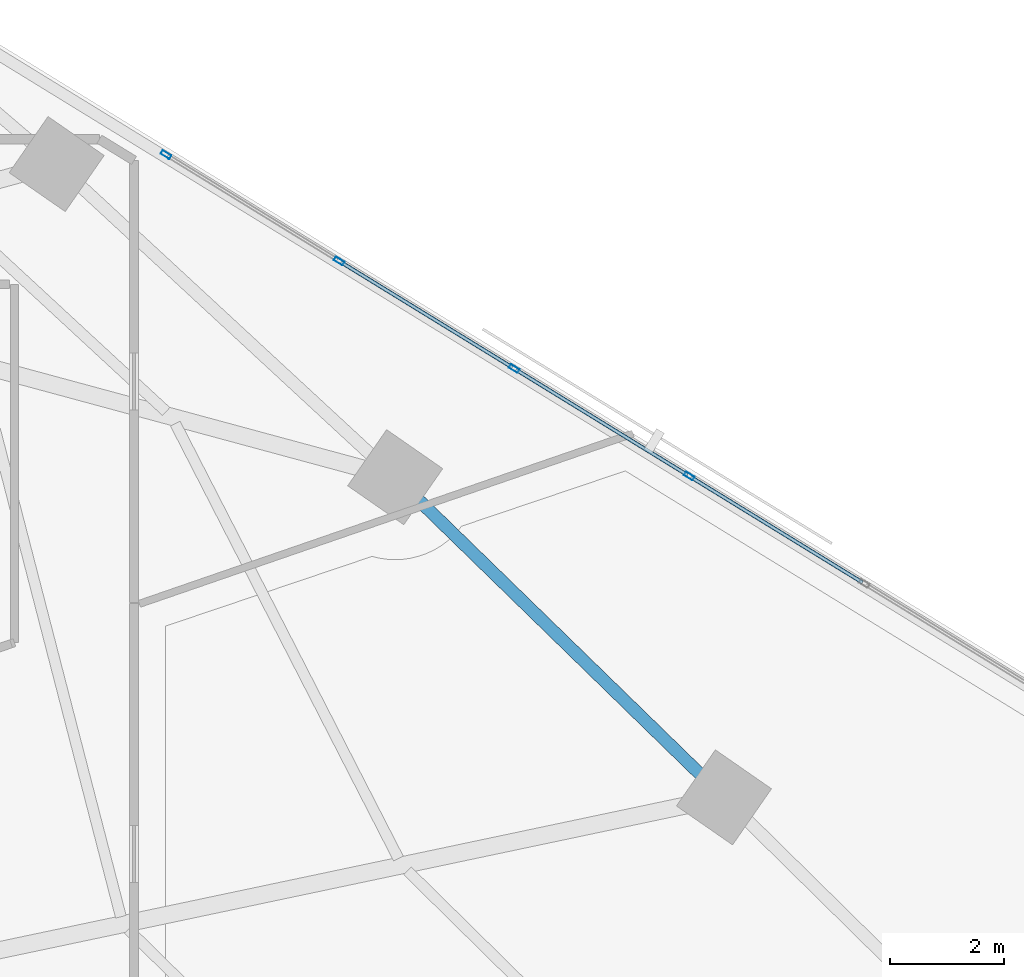
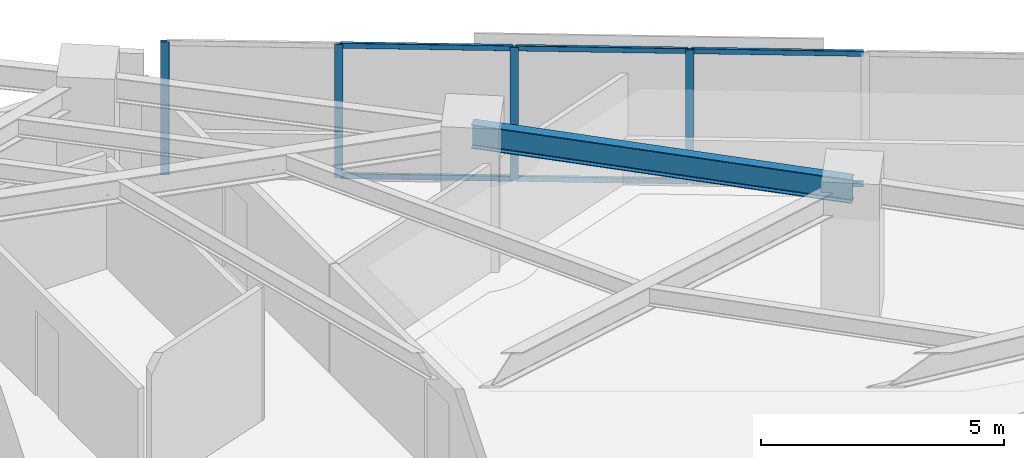
# One storey, part 6 of 18: 10 members, 1 beam, 1 element without a shape of its own.
"""IFC4 building model written with IfcOpenShell, lengths in metres."""

import ifcopenshell
import ifcopenshell.guid

model = None  # the IFC model being written
_history = None  # IfcOwnerHistory: only IFC2X3 demands one
_inside = {}  # id of a spatial element -> (the spatial element, [elements in it])
_under = {}  # id of a project, library or spatial element -> (it, [spatial elements below it])
_declared = {}  # id of a project -> (the project, [libraries it declares])
_typed = {}  # id of a type object -> (the type object, [elements of that type])
_made_of = {}  # id of a material, layer set ... -> (it, [elements and type objects made of it])


def new_model(schema):
    """Start an empty IFC model of exactly this schema.

    Asked for "IFC4X3", IfcOpenShell would pick the latest addendum, in which some entities
    have other attributes; the version numbers below select the first issue.
    IFC2X3 requires an IfcOwnerHistory on every rooted entity: one is made here for all.
    """
    global model, _history
    if schema == "IFC4X3":
        model = ifcopenshell.file(schema_version=(4, 3, 0, 0))
    else:
        model = ifcopenshell.file(schema=schema)
    _inside.clear()
    _under.clear()
    _declared.clear()
    _typed.clear()
    _made_of.clear()
    _history = None
    if model.schema == "IFC2X3":
        org = make("IfcOrganization", Name="unknown")
        user = make(
            "IfcPersonAndOrganization",
            ThePerson=make("IfcPerson", FamilyName="unknown"),
            TheOrganization=org,
        )
        app = make(
            "IfcApplication",
            ApplicationDeveloper=org,
            Version="unknown",
            ApplicationFullName="unknown",
            ApplicationIdentifier="unknown",
        )
        _history = make(
            "IfcOwnerHistory",
            OwningUser=user,
            OwningApplication=app,
            ChangeAction="ADDED",
            CreationDate=0,
        )
    return model


def make(cls, **values):
    """One entity of the class cls with the attributes given. An attribute that is None is left unset."""
    return model.create_entity(
        cls, **{name: value for name, value in values.items() if value is not None}
    )


def rooted(cls, **values):
    """An entity with a GlobalId (a new one), such as an element, a storey or a relation."""
    return make(cls, GlobalId=ifcopenshell.guid.new(), OwnerHistory=_history, **values)


def si_unit(unit_type, name, prefix=None):
    """IfcSIUnit, for example si_unit("LENGTHUNIT", "METRE", prefix="MILLI")."""
    return make("IfcSIUnit", UnitType=unit_type, Prefix=prefix, Name=name)


def assignment(units):
    """IfcUnitAssignment: the units of a project."""
    return None if units is None else make("IfcUnitAssignment", Units=units)


def point(xyz):
    """IfcCartesianPoint."""
    return None if xyz is None else make("IfcCartesianPoint", Coordinates=xyz)


def direction(xyz):
    """IfcDirection."""
    return None if xyz is None else make("IfcDirection", DirectionRatios=xyz)


def frame(location, z_axis=None, x_axis=None):
    """IfcAxis2Placement3D, a coordinate frame: its origin and axes. An axis left out is left unset."""
    return make(
        "IfcAxis2Placement3D",
        Location=point(location),
        Axis=direction(z_axis),
        RefDirection=direction(x_axis),
    )


def frame_2d(location, x_axis=None):
    """IfcAxis2Placement2D, a coordinate frame in the plane: its origin and x axis."""
    return make(
        "IfcAxis2Placement2D", Location=point(location), RefDirection=direction(x_axis)
    )


def origin():
    """The frame at (0, 0, 0) with its axes left unset."""
    return frame((0.0, 0.0, 0.0))


def origin_2d():
    """The frame at (0, 0) in the plane with its x axis left unset."""
    return frame_2d((0.0, 0.0))


def place(relative_to, where):
    """IfcLocalPlacement: puts the frame where relative to a parent placement (None: the world)."""
    return make(
        "IfcLocalPlacement", PlacementRelTo=relative_to, RelativePlacement=where
    )


def context(
    kind, dimensions, precision=None, world=None, true_north=None, identifier=None
):
    """IfcGeometricRepresentationContext, for example the 3D "Model" context."""
    return make(
        "IfcGeometricRepresentationContext",
        ContextIdentifier=identifier,
        ContextType=kind,
        CoordinateSpaceDimension=dimensions,
        Precision=precision,
        WorldCoordinateSystem=world,
        TrueNorth=true_north,
    )


def subcontext(parent, identifier, kind, view, scale=None):
    """IfcGeometricRepresentationSubContext, for example "Body" below "Model"."""
    return make(
        "IfcGeometricRepresentationSubContext",
        ContextIdentifier=identifier,
        ContextType=kind,
        ParentContext=parent,
        TargetScale=scale,
        TargetView=view,
    )


def project(units=None, contexts=None):
    """IfcProject with its units and contexts."""
    return rooted(
        "IfcProject",
        Name="project",
        RepresentationContexts=contexts,
        UnitsInContext=assignment(units),
    )


def spatial(cls, under=None, at=None, **own):
    """A site, building, storey or space (cls), placed at a placement, below another one or the project."""
    s = rooted(cls, ObjectPlacement=at, **own)
    if under is not None:
        _under.setdefault(under.id(), (under, []))[1].append(s)
    return s


def profile(cls, at=None, kind="AREA", **sizes):
    """A parametric profile (cls). Its sizes go by their IFC names, for example OverallWidth=200.0."""
    return make(cls, ProfileType=kind, Position=at, **sizes)


def hollow_rectangle(**sizes):
    """IfcRectangleHollowProfileDef."""
    return profile("IfcRectangleHollowProfileDef", **sizes)


def i_section(**sizes):
    """IfcIShapeProfileDef."""
    return profile("IfcIShapeProfileDef", **sizes)


def extrude(swept, where, along, depth):
    """IfcExtrudedAreaSolid: the profile swept, set in the frame where, extruded along a direction by depth."""
    return make(
        "IfcExtrudedAreaSolid",
        SweptArea=swept,
        Position=where,
        ExtrudedDirection=direction(along),
        Depth=depth,
    )


def shape(context_of_items, identifier, shape_type, items):
    """IfcShapeRepresentation: the items that make up one representation, for example the "Body"."""
    return make(
        "IfcShapeRepresentation",
        ContextOfItems=context_of_items,
        RepresentationIdentifier=identifier,
        RepresentationType=shape_type,
        Items=items,
    )


def material(Name=None, Category=None):
    """IfcMaterial."""
    return make("IfcMaterial", Name=Name, Category=Category)


def material_profile(
    of_material, cross_section, Name=None, Category=None, Priority=None
):
    """IfcMaterialProfile: a cross section and its material."""
    return make(
        "IfcMaterialProfile",
        Name=Name,
        Material=of_material,
        Profile=cross_section,
        Priority=Priority,
        Category=Category,
    )


def profile_set(profiles, Name=None, composite=None):
    """IfcMaterialProfileSet."""
    return make(
        "IfcMaterialProfileSet",
        Name=Name,
        MaterialProfiles=profiles,
        CompositeProfile=composite,
    )


def made_of(thing, what):
    """Note that an element or type object is made of a material, layer set ...; save() writes the relation."""
    if what is not None:
        _made_of.setdefault(what.id(), (what, []))[1].append(thing)
    return thing


def type_object(cls, material=None, **own):
    """A type object (cls), such as IfcWallType, which elements share."""
    return made_of(rooted(cls, **own), material)


def element(
    cls,
    number,
    at=None,
    inside=None,
    cuts=None,
    type_object=None,
    material=None,
    context=None,
    identifier="Body",
    shape_type=None,
    held_by="IfcProductDefinitionShape",
    body=None,
    shapes=None,
    **own,
):
    """One element of the class cls, such as IfcWall. Its Tag is "e" and its number.

    at: its placement. inside: the storey or other place that contains it. cuts: it is an
    opening in that element (IfcRelVoidsElement). A single representation is given by context,
    identifier, shape_type and body (its items); several are given by shapes. held_by: the class
    of the entity that holds the representations. save() writes the other relations.
    """
    e = rooted(cls, Tag="e%d" % number, ObjectPlacement=at, **own)
    if body is not None:
        shapes = [shape(context, identifier, shape_type, body)]
    if shapes is not None:
        e.Representation = make(held_by, Representations=shapes)
    if inside is not None:
        _inside.setdefault(inside.id(), (inside, []))[1].append(e)
    if cuts is not None:
        rooted(
            "IfcRelVoidsElement", RelatingBuildingElement=cuts, RelatedOpeningElement=e
        )
    if type_object is not None:
        _typed.setdefault(type_object.id(), (type_object, []))[1].append(e)
    return made_of(e, material)


def aggregate(whole, parts):
    """IfcRelAggregates: a whole, such as a stair, and the parts it consists of."""
    return rooted("IfcRelAggregates", RelatingObject=whole, RelatedObjects=parts)


def save(model, path):
    """Write the relations noted so far, then the file.

    IfcRelAggregates (storeys below a building ...), IfcRelContainedInSpatialStructure (elements
    in a storey), IfcRelDefinesByType, IfcRelAssociatesMaterial and IfcRelDeclares: one each for
    every whole, place, type object, material and project.
    """
    for whole, parts in _under.values():
        aggregate(whole, parts)
    for where, things in _inside.values():
        rooted(
            "IfcRelContainedInSpatialStructure",
            RelatedElements=things,
            RelatingStructure=where,
        )
    for kind, things in _typed.values():
        rooted("IfcRelDefinesByType", RelatedObjects=things, RelatingType=kind)
    for what, things in _made_of.values():
        rooted("IfcRelAssociatesMaterial", RelatedObjects=things, RelatingMaterial=what)
    for by, libraries in _declared.values():
        rooted("IfcRelDeclares", RelatingContext=by, RelatedDefinitions=libraries)
    model.write(path)


model = new_model("IFC4")

# Units and contexts
model_context = context("Model", 3, precision=1e-05, world=origin(), true_north=direction((0.0, 1.0)))
body_context = subcontext(model_context, "Body", "Model", "MODEL_VIEW")
ifc_project = project(units=[si_unit("LENGTHUNIT", "METRE"), si_unit("AREAUNIT", "SQUARE_METRE"), si_unit("VOLUMEUNIT", "CUBIC_METRE"), si_unit("PLANEANGLEUNIT", "RADIAN"), si_unit("MASSUNIT", "GRAM", prefix="KILO")], contexts=[model_context])

# Site, building, storey
site_placement = place(None, origin())
site = spatial("IfcSite", under=ifc_project, at=site_placement, CompositionType="ELEMENT")
building_placement = place(site_placement, origin())
building = spatial("IfcBuilding", under=site, at=building_placement, Name="Narakoshi Arena Tower", CompositionType="ELEMENT")
storey_placement = place(building_placement, frame((0.0, 0.0, 99.300048828125)))
storey = spatial("IfcBuildingStorey", under=building, at=storey_placement, Name="L26", CompositionType="ELEMENT", Elevation=99.300048828125)

# Beam
ifc_material_1 = material(Name="Structural steel S355J2", Category="steel")
ifc_material_profile_1 = material_profile(ifc_material_1, i_section(OverallWidth=0.219970703125, OverallDepth=0.60009765625, WebThickness=0.011962890625, FlangeThickness=0.01904296875, FilletRadius=0.02392578125, at=origin_2d()), Name="IPE600")
ifc_profile_set_1 = profile_set([ifc_material_profile_1], Name="Structural steel S355J2")
beam_type = type_object("IfcBeamType", Name="BM-EDGE-600", PredefinedType="BEAM", material=ifc_profile_set_1)
beam_placement = place(storey_placement, frame((104.42041015625, 47.33056640625, 3.0400390625), z_axis=(-0.71641187053, 0.697677598726, 0.0), x_axis=(-0.697677598726, -0.71641187053, 0.0)))
element("IfcBeam", 1, at=beam_placement, inside=storey, type_object=beam_type, Name="L26 Perimeter Edge Girder 05", PredefinedType="BEAM", context=body_context, shape_type="SweptSolid", body=[
    extrude(i_section(OverallWidth=0.219970703125, OverallDepth=0.60009765625, WebThickness=0.011962890625, FlangeThickness=0.01904296875, FilletRadius=0.02392578125, at=origin_2d()), origin(), (0.0, 0.0, 1.0), 8.066650390625),
])

# Curtain wall, members
ifc_material_2 = material(Name="Anodised bronze aluminium 6063-T6", Category="aluminium")
curtain_wall_type = type_object("IfcCurtainWallType", Name="CW-HYP-LOW", PredefinedType="NOTDEFINED", material=ifc_material_2)
curtain_wall_placement = place(storey_placement, origin())
curtain_wall = element("IfcCurtainWall", 2, at=curtain_wall_placement, inside=storey, type_object=curtain_wall_type, Name="L26 Folded Hypotenuse Curtain Wall 1-1", PredefinedType="NOTDEFINED")
ifc_material_profile_2 = material_profile(ifc_material_2, hollow_rectangle(XDim=0.074951171875, YDim=0.179931640625, WallThickness=0.00390625, OuterFilletRadius=0.0048828125, at=origin_2d()), Name="MUL180x75x4")
ifc_profile_set_2 = profile_set([ifc_material_profile_2], Name="Anodised bronze aluminium 6063-T6")
member_type_1 = type_object("IfcMemberType", Name="MEM-MUL-180", PredefinedType="MULLION", material=ifc_profile_set_2)
member_1_placement = place(storey_placement, frame((103.81005859375, 52.97802734375, 0.0), z_axis=(0.0, 0.0, 1.0), x_axis=(-0.523357676535, -0.852113104237, 0.0)))
member_1 = element("IfcMember", 3, at=member_1_placement, type_object=member_type_1, Name="CW-01 mullion 6", PredefinedType="MULLION", context=body_context, shape_type="SweptSolid", body=[
    extrude(hollow_rectangle(XDim=0.074951171875, YDim=0.179931640625, WallThickness=0.00390625, OuterFilletRadius=0.0048828125, at=origin_2d()), origin(), (0.0, 0.0, 1.0), 3.33984375),
])
member_2_placement = place(storey_placement, frame((100.733154296875, 54.86767578125, 0.0), z_axis=(0.0, 0.0, 1.0), x_axis=(-0.523357676535, -0.852113104237, 0.0)))
member_2 = element("IfcMember", 4, at=member_2_placement, type_object=member_type_1, Name="CW-01 mullion 7", PredefinedType="MULLION", context=body_context, shape_type="SweptSolid", body=[
    extrude(hollow_rectangle(XDim=0.074951171875, YDim=0.179931640625, WallThickness=0.00390625, OuterFilletRadius=0.0048828125, at=origin_2d()), origin(), (0.0, 0.0, 1.0), 3.33984375),
])
member_3_placement = place(storey_placement, frame((97.65625, 56.757568359375, 0.0), z_axis=(0.0, 0.0, 1.0), x_axis=(-0.523357676535, -0.852113104237, 0.0)))
member_3 = element("IfcMember", 5, at=member_3_placement, type_object=member_type_1, Name="CW-01 mullion 8", PredefinedType="MULLION", context=body_context, shape_type="SweptSolid", body=[
    extrude(hollow_rectangle(XDim=0.074951171875, YDim=0.179931640625, WallThickness=0.00390625, OuterFilletRadius=0.0048828125, at=origin_2d()), origin(), (0.0, 0.0, 1.0), 3.33984375),
])
member_4_placement = place(storey_placement, frame((94.611328125, 58.627685546875, 0.0), z_axis=(0.0, 0.0, 1.0), x_axis=(-0.523357676535, -0.852113104237, 0.0)))
member_4 = element("IfcMember", 6, at=member_4_placement, type_object=member_type_1, Name="CW-01 mullion 9", PredefinedType="MULLION", context=body_context, shape_type="SweptSolid", body=[
    extrude(hollow_rectangle(XDim=0.074951171875, YDim=0.179931640625, WallThickness=0.00390625, OuterFilletRadius=0.0048828125, at=origin_2d()), origin(), (0.0, 0.0, 1.0), 3.33984375),
])
ifc_material_profile_3 = material_profile(ifc_material_2, hollow_rectangle(XDim=0.06494140625, YDim=0.1298828125, WallThickness=0.00390625, OuterFilletRadius=0.0048828125, at=origin_2d()), Name="TRN130x65x4")
ifc_profile_set_3 = profile_set([ifc_material_profile_3], Name="Anodised bronze aluminium 6063-T6")
member_type_2 = type_object("IfcMemberType", Name="MEM-TRN-130", PredefinedType="USERDEFINED", material=ifc_profile_set_3)
member_5_placement = place(storey_placement, frame((106.85498046875, 51.107666015625, 0.032470703125), z_axis=(-0.852103699909, 0.523372988032, 0.0), x_axis=(-0.523372988032, -0.852103699909, 0.0)))
member_5 = element("IfcMember", 7, at=member_5_placement, type_object=member_type_2, Name="CW-01 transom 5.1", ObjectType="TRANSOM", PredefinedType="USERDEFINED", context=body_context, shape_type="SweptSolid", body=[
    extrude(hollow_rectangle(XDim=0.06494140625, YDim=0.1298828125, WallThickness=0.00390625, OuterFilletRadius=0.0048828125, at=origin_2d()), origin(), (0.0, 0.0, 1.0), 3.535888671875),
])
member_6_placement = place(storey_placement, frame((106.85498046875, 51.107666015625, 3.307373046875), z_axis=(-0.852103699909, 0.523372988032, 0.0), x_axis=(-0.523372988032, -0.852103699909, 0.0)))
member_6 = element("IfcMember", 8, at=member_6_placement, type_object=member_type_2, Name="CW-01 transom 5.2", ObjectType="TRANSOM", PredefinedType="USERDEFINED", context=body_context, shape_type="SweptSolid", body=[
    extrude(hollow_rectangle(XDim=0.06494140625, YDim=0.1298828125, WallThickness=0.00390625, OuterFilletRadius=0.0048828125, at=origin_2d()), origin(), (0.0, 0.0, 1.0), 3.535888671875),
])
member_7_placement = place(storey_placement, frame((103.778076171875, 52.99755859375, 0.032470703125), z_axis=(-0.852103699909, 0.523372988032, 0.0), x_axis=(-0.523372988032, -0.852103699909, 0.0)))
member_7 = element("IfcMember", 9, at=member_7_placement, type_object=member_type_2, Name="CW-01 transom 6.1", ObjectType="TRANSOM", PredefinedType="USERDEFINED", context=body_context, shape_type="SweptSolid", body=[
    extrude(hollow_rectangle(XDim=0.06494140625, YDim=0.1298828125, WallThickness=0.00390625, OuterFilletRadius=0.0048828125, at=origin_2d()), origin(), (0.0, 0.0, 1.0), 3.535888671875),
])
member_8_placement = place(storey_placement, frame((103.778076171875, 52.99755859375, 3.307373046875), z_axis=(-0.852103699909, 0.523372988032, 0.0), x_axis=(-0.523372988032, -0.852103699909, 0.0)))
member_8 = element("IfcMember", 10, at=member_8_placement, type_object=member_type_2, Name="CW-01 transom 6.2", ObjectType="TRANSOM", PredefinedType="USERDEFINED", context=body_context, shape_type="SweptSolid", body=[
    extrude(hollow_rectangle(XDim=0.06494140625, YDim=0.1298828125, WallThickness=0.00390625, OuterFilletRadius=0.0048828125, at=origin_2d()), origin(), (0.0, 0.0, 1.0), 3.535888671875),
])
member_9_placement = place(storey_placement, frame((100.701171875, 54.887451171875, 0.032470703125), z_axis=(-0.852134492111, 0.523322851933, 0.0), x_axis=(-0.523322851933, -0.852134492111, 0.0)))
member_9 = element("IfcMember", 11, at=member_9_placement, type_object=member_type_2, Name="CW-01 transom 7.1", ObjectType="TRANSOM", PredefinedType="USERDEFINED", context=body_context, shape_type="SweptSolid", body=[
    extrude(hollow_rectangle(XDim=0.06494140625, YDim=0.1298828125, WallThickness=0.00390625, OuterFilletRadius=0.0048828125, at=origin_2d()), origin(), (0.0, 0.0, 1.0), 3.53564453125),
])
member_10_placement = place(storey_placement, frame((100.701171875, 54.887451171875, 3.307373046875), z_axis=(-0.852134492111, 0.523322851933, 0.0), x_axis=(-0.523322851933, -0.852134492111, 0.0)))
member_10 = element("IfcMember", 12, at=member_10_placement, type_object=member_type_2, Name="CW-01 transom 7.2", ObjectType="TRANSOM", PredefinedType="USERDEFINED", context=body_context, shape_type="SweptSolid", body=[
    extrude(hollow_rectangle(XDim=0.06494140625, YDim=0.1298828125, WallThickness=0.00390625, OuterFilletRadius=0.0048828125, at=origin_2d()), origin(), (0.0, 0.0, 1.0), 3.53564453125),
])
aggregate(curtain_wall, [member_1, member_2, member_3, member_4, member_5, member_6, member_7, member_8, member_9, member_10])

save(model, "model.ifc")
